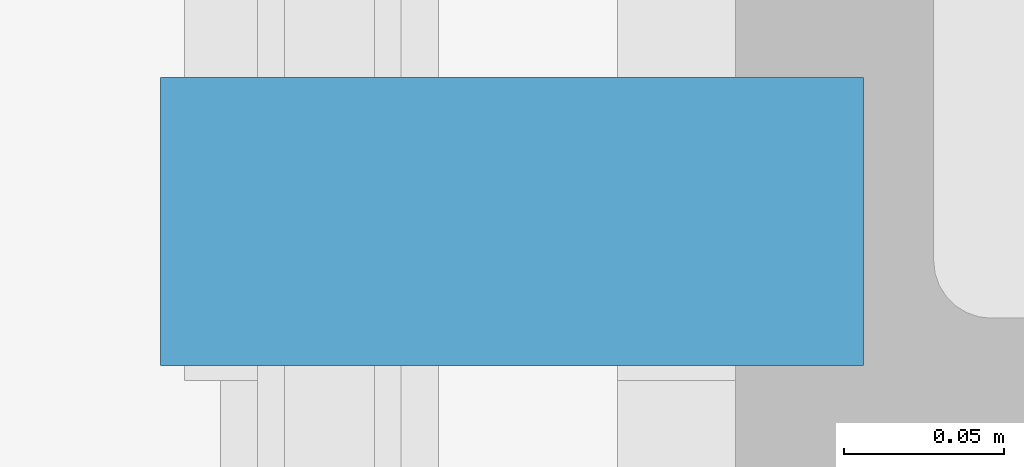
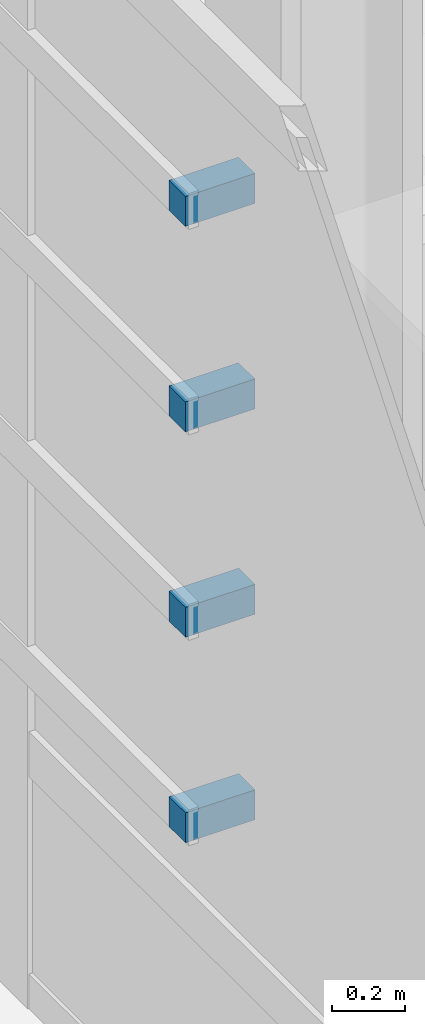
# One storey, part 31 of 36: 4 discrete accessories.
"""IFC4 building model written with IfcOpenShell, lengths in metres."""

from ifc_helpers import new_model, si_unit, direction, frame, origin, origin_2d, place, context, subcontext, project, spatial, rectangle, extrude, material, type_object, element, save


model = new_model("IFC4")

# Units and contexts
model_context = context("Model", 3, precision=1e-05, world=origin(), true_north=direction((0.0, 1.0)))
body_context = subcontext(model_context, "Body", "Model", "MODEL_VIEW")
ifc_project = project(units=[si_unit("LENGTHUNIT", "METRE"), si_unit("AREAUNIT", "SQUARE_METRE"), si_unit("VOLUMEUNIT", "CUBIC_METRE"), si_unit("PLANEANGLEUNIT", "RADIAN"), si_unit("MASSUNIT", "GRAM", prefix="KILO")], contexts=[model_context])

# Site, building, storey
site_placement = place(None, origin())
site = spatial("IfcSite", under=ifc_project, at=site_placement, CompositionType="ELEMENT")
building_placement = place(site_placement, origin())
building = spatial("IfcBuilding", under=site, at=building_placement, Name="Punatoya Terracotta Tower", CompositionType="ELEMENT")
storey_placement = place(building_placement, frame((0.0, 0.0, 32.25)))
storey = spatial("IfcBuildingStorey", under=building, at=storey_placement, Name="L06", CompositionType="ELEMENT", Elevation=32.25)

# Discrete accessories
ifc_material = material(Name="Steel S355", Category="steel")
discrete_accessory_type = type_object("IfcDiscreteAccessoryType", Name="ACC-BRK-220", PredefinedType="BRACKET", material=ifc_material)
for number, where, z_axis, x_axis, name in (
    (1, (-24.79296875, -3.35009765625, 1.099853515625), (0.0, 0.0, 1.0), (0.0, 1.0, 0.0), "L06 Baguette Louvre Column Bracket BAG-L06-W-01"),
    (2, (-24.79296875, -3.35009765625, 1.78662109375), (0.0, 0.0, 1.0), (0.0, 1.0, 0.0), "L06 Baguette Louvre Column Bracket BAG-L06-W-02"),
    (3, (-24.79296875, -3.35009765625, 2.47314453125), (0.0, 0.0, 1.0), (0.0, 1.0, 0.0), "L06 Baguette Louvre Column Bracket BAG-L06-W-03"),
    (4, (-24.79296875, -3.35009765625, 3.159912109375), (0.0, 0.0, 1.0), (0.0, 1.0, 0.0), "L06 Baguette Louvre Column Bracket BAG-L06-W-04"),
):
    element("IfcDiscreteAccessory", number, at=place(storey_placement, frame(where, z_axis=z_axis, x_axis=x_axis)), inside=storey, type_object=discrete_accessory_type, Name=name, PredefinedType="BRACKET", context=body_context, shape_type="SweptSolid", body=[
        extrude(rectangle(XDim=0.090087890625, YDim=0.219970703125, at=origin_2d()), origin(), (0.0, 0.0, 1.0), 0.10009765625),
    ])

save(model, "model.ifc")
